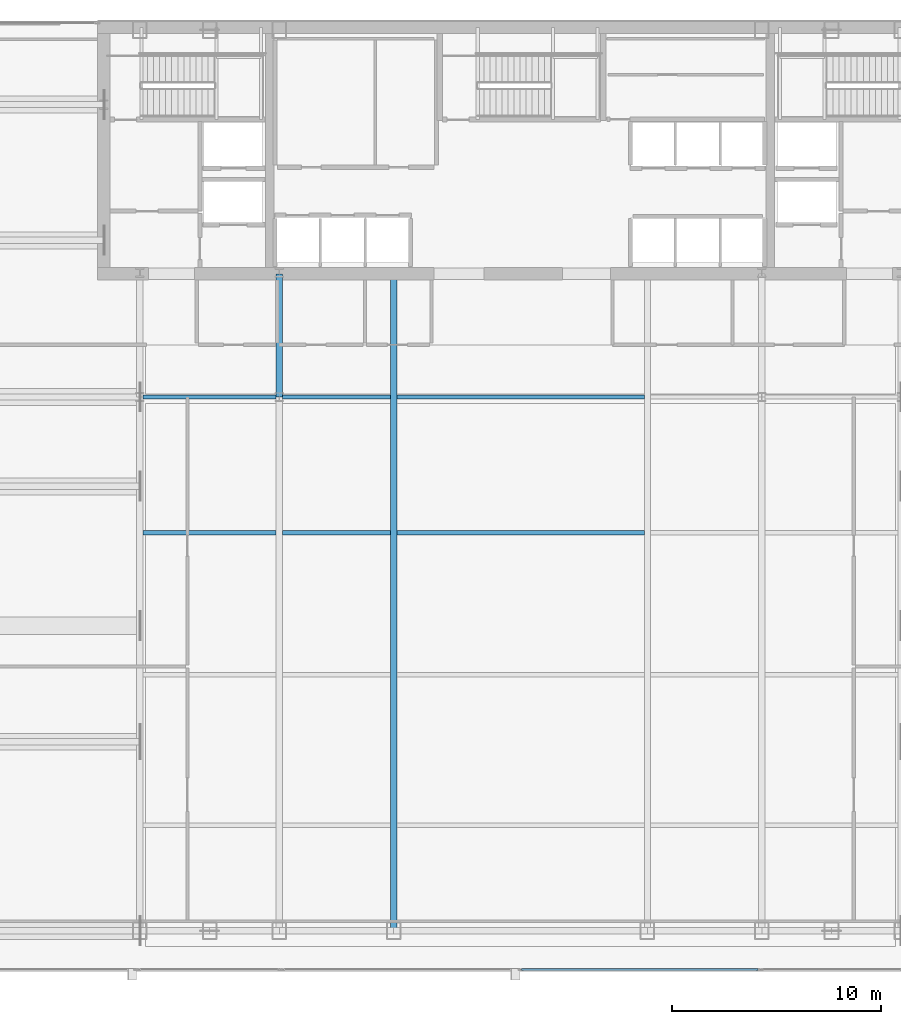
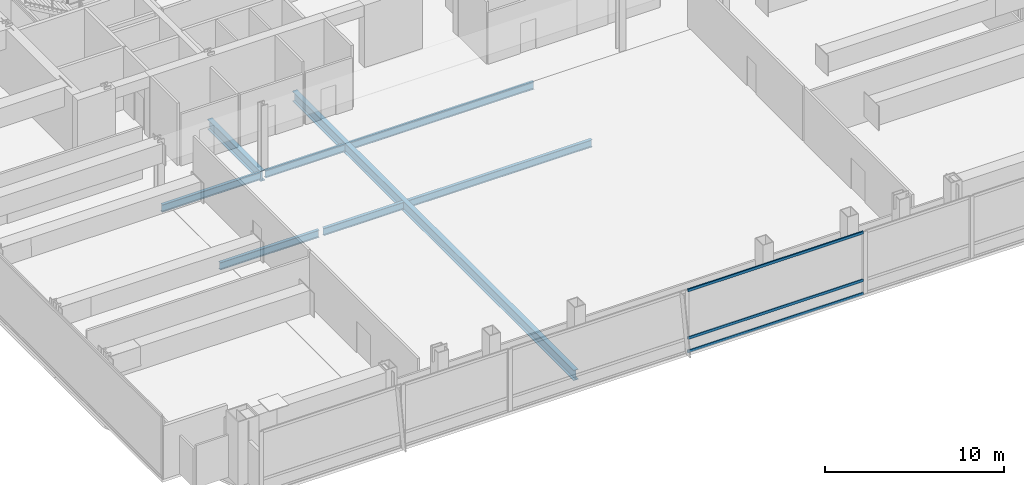
# One storey, part 10 of 25: 8 beams, 3 members, 1 element without a shape of its own.
"""IFC4 building model written with IfcOpenShell, lengths in metres."""

from ifc_helpers import new_model, si_unit, direction, frame, origin, origin_2d, place, context, subcontext, project, spatial, hollow_rectangle, i_section, extrude, material, material_profile, profile_set, type_object, element, aggregate, save


model = new_model("IFC4")

# Units and contexts
model_context = context("Model", 3, precision=1e-05, world=origin(), true_north=direction((0.0, 1.0)))
body_context = subcontext(model_context, "Body", "Model", "MODEL_VIEW")
ifc_project = project(units=[si_unit("LENGTHUNIT", "METRE"), si_unit("AREAUNIT", "SQUARE_METRE"), si_unit("VOLUMEUNIT", "CUBIC_METRE"), si_unit("PLANEANGLEUNIT", "RADIAN"), si_unit("MASSUNIT", "GRAM", prefix="KILO")], contexts=[model_context])

# Site, building, storey
site_placement = place(None, origin())
site = spatial("IfcSite", under=ifc_project, at=site_placement, CompositionType="ELEMENT")
building_placement = place(site_placement, origin())
building = spatial("IfcBuilding", under=site, at=building_placement, Name="Khoronbel Lancet Exchange", CompositionType="ELEMENT")
storey_placement = place(building_placement, frame((0.0, 0.0, 184.199951171875)))
storey = spatial("IfcBuildingStorey", under=building, at=storey_placement, Name="L46", CompositionType="ELEMENT", Elevation=184.199951171875)

# Beams
ifc_material_1 = material(Name="Steel S355", Category="steel")
ifc_material_profile_1 = material_profile(ifc_material_1, i_section(OverallWidth=0.300048828125, OverallDepth=0.699951171875, WebThickness=0.01708984375, FlangeThickness=0.031982421875, at=origin_2d()), Name="HEB 700")
ifc_profile_set_1 = profile_set([ifc_material_profile_1], Name="Steel S355")
beam_type_1 = type_object("IfcBeamType", Name="BM-BG3", PredefinedType="BEAM", material=ifc_profile_set_1)
beam_1_placement = place(storey_placement, frame((24.89990234375, 35.699951171875, -0.550048828125), z_axis=(0.0, 1.0, 0.0), x_axis=(-1.0, 0.0, 0.0)))
element("IfcBeam", 1, at=beam_1_placement, inside=storey, type_object=beam_type_1, Name="Level L46 spine tie girder GN2", PredefinedType="BEAM", context=body_context, shape_type="SweptSolid", body=[
    extrude(i_section(OverallWidth=0.300048828125, OverallDepth=0.699951171875, WebThickness=0.01708984375, FlangeThickness=0.031982421875, at=origin_2d()), origin(), (0.0, 0.0, 1.0), 5.900146484375),
])
beam_2_placement = place(storey_placement, frame((30.375, 10.14990234375, -0.550048828125), z_axis=(0.0, 1.0, 0.0), x_axis=(-1.0, 0.0, 0.0)))
element("IfcBeam", 2, at=beam_2_placement, inside=storey, type_object=beam_type_1, Name="Level L46 primary floor girder G3", PredefinedType="BEAM", context=body_context, shape_type="SweptSolid", body=[
    extrude(i_section(OverallWidth=0.300048828125, OverallDepth=0.699951171875, WebThickness=0.01708984375, FlangeThickness=0.031982421875, at=origin_2d()), origin(), (0.0, 0.0, 1.0), 31.4501953125),
])
ifc_material_profile_2 = material_profile(ifc_material_1, i_section(OverallWidth=0.199951171875, OverallDepth=0.5, WebThickness=0.01025390625, FlangeThickness=0.01611328125, at=origin_2d()), Name="IPE 500")
ifc_profile_set_2 = profile_set([ifc_material_profile_2], Name="Steel S355")
beam_type_2 = type_object("IfcBeamType", Name="BM-BJ3", PredefinedType="JOIST", material=ifc_profile_set_2)
beam_3_placement = place(storey_placement, frame((18.375, 29.199951171875, -0.449951171875), z_axis=(1.0, 0.0, 0.0), x_axis=(0.0, 1.0, 0.0)))
element("IfcBeam", 3, at=beam_3_placement, inside=storey, type_object=beam_type_2, Name="Level L46 secondary composite joist J11", PredefinedType="JOIST", context=body_context, shape_type="SweptSolid", body=[
    extrude(i_section(OverallWidth=0.199951171875, OverallDepth=0.5, WebThickness=0.01025390625, FlangeThickness=0.01611328125, at=origin_2d()), origin(), (0.0, 0.0, 1.0), 6.375),
])
beam_4_placement = place(storey_placement, frame((25.050048828125, 29.199951171875, -0.449951171875), z_axis=(1.0, 0.0, 0.0), x_axis=(0.0, 1.0, 0.0)))
element("IfcBeam", 4, at=beam_4_placement, inside=storey, type_object=beam_type_2, Name="Level L46 secondary composite joist J12", PredefinedType="JOIST", context=body_context, shape_type="SweptSolid", body=[
    extrude(i_section(OverallWidth=0.199951171875, OverallDepth=0.5, WebThickness=0.01025390625, FlangeThickness=0.01611328125, at=origin_2d()), origin(), (0.0, 0.0, 1.0), 5.175048828125),
])
beam_5_placement = place(storey_placement, frame((30.52490234375, 29.199951171875, -0.449951171875), z_axis=(1.0, 0.0, 0.0), x_axis=(0.0, 1.0, 0.0)))
element("IfcBeam", 5, at=beam_5_placement, inside=storey, type_object=beam_type_2, Name="Level L46 secondary composite joist J13", PredefinedType="JOIST", context=body_context, shape_type="SweptSolid", body=[
    extrude(i_section(OverallWidth=0.199951171875, OverallDepth=0.5, WebThickness=0.01025390625, FlangeThickness=0.01611328125, at=origin_2d()), origin(), (0.0, 0.0, 1.0), 11.85009765625),
])
beam_6_placement = place(storey_placement, frame((18.375, 35.699951171875, -0.449951171875), z_axis=(1.0, 0.0, 0.0), x_axis=(0.0, 1.0, 0.0)))
element("IfcBeam", 6, at=beam_6_placement, inside=storey, type_object=beam_type_2, Name="Level L46 secondary composite joist J16", PredefinedType="JOIST", context=body_context, shape_type="SweptSolid", body=[
    extrude(i_section(OverallWidth=0.199951171875, OverallDepth=0.5, WebThickness=0.01025390625, FlangeThickness=0.01611328125, at=origin_2d()), origin(), (0.0, 0.0, 1.0), 6.375),
])
beam_7_placement = place(storey_placement, frame((25.050048828125, 35.699951171875, -0.449951171875), z_axis=(1.0, 0.0, 0.0), x_axis=(0.0, 1.0, 0.0)))
element("IfcBeam", 7, at=beam_7_placement, inside=storey, type_object=beam_type_2, Name="Level L46 secondary composite joist J17", PredefinedType="JOIST", context=body_context, shape_type="SweptSolid", body=[
    extrude(i_section(OverallWidth=0.199951171875, OverallDepth=0.5, WebThickness=0.01025390625, FlangeThickness=0.01611328125, at=origin_2d()), origin(), (0.0, 0.0, 1.0), 5.175048828125),
])
beam_8_placement = place(storey_placement, frame((30.52490234375, 35.699951171875, -0.449951171875), z_axis=(1.0, 0.0, 0.0), x_axis=(0.0, 1.0, 0.0)))
element("IfcBeam", 8, at=beam_8_placement, inside=storey, type_object=beam_type_2, Name="Level L46 secondary composite joist J18", PredefinedType="JOIST", context=body_context, shape_type="SweptSolid", body=[
    extrude(i_section(OverallWidth=0.199951171875, OverallDepth=0.5, WebThickness=0.01025390625, FlangeThickness=0.01611328125, at=origin_2d()), origin(), (0.0, 0.0, 1.0), 11.85009765625),
])

# Curtain wall, members
ifc_material_2 = material(Name="Low-E Solar Control Insulating Glass", Category="glass")
curtain_wall_type = type_object("IfcCurtainWallType", Name="CW-3", PredefinedType="NOTDEFINED", material=ifc_material_2)
curtain_wall_placement = place(storey_placement, origin())
curtain_wall = element("IfcCurtainWall", 9, at=curtain_wall_placement, inside=storey, type_object=curtain_wall_type, Name="Unitised curtain wall CW-L46-SCV", PredefinedType="NOTDEFINED")
ifc_material_3 = material(Name="Bronze-Anodised Aluminium 6063-T6", Category="aluminium")
ifc_material_profile_3 = material_profile(ifc_material_3, hollow_rectangle(XDim=0.0849609375, YDim=0.179931640625, WallThickness=0.0048828125, at=origin_2d()), Name="ALU TRANSOM 85x180")
ifc_profile_set_3 = profile_set([ifc_material_profile_3], Name="Bronze-Anodised Aluminium 6063-T6")
member_type = type_object("IfcMemberType", Name="MEM-CWT1", PredefinedType="USERDEFINED", material=ifc_profile_set_3)
member_1_placement = place(storey_placement, frame((36.492431640625, 8.2900390625, 0.04248046875), z_axis=(1.0, 0.0, 0.0), x_axis=(0.0, 1.0, 0.0)))
member_1 = element("IfcMember", 10, at=member_1_placement, type_object=member_type, Name="CW3 transom 2.1", ObjectType="TRANSOM", PredefinedType="USERDEFINED", context=body_context, shape_type="SweptSolid", body=[
    extrude(hollow_rectangle(XDim=0.0849609375, YDim=0.179931640625, WallThickness=0.0048828125, at=origin_2d()), origin(), (0.0, 0.0, 1.0), 11.322509765625),
])
member_2_placement = place(storey_placement, frame((36.492431640625, 8.2900390625, 0.949951171875), z_axis=(1.0, 0.0, 0.0), x_axis=(0.0, 1.0, 0.0)))
member_2 = element("IfcMember", 11, at=member_2_placement, type_object=member_type, Name="CW3 transom 2.2", ObjectType="TRANSOM", PredefinedType="USERDEFINED", context=body_context, shape_type="SweptSolid", body=[
    extrude(hollow_rectangle(XDim=0.0849609375, YDim=0.179931640625, WallThickness=0.0048828125, at=origin_2d()), origin(), (0.0, 0.0, 1.0), 11.322509765625),
])
member_3_placement = place(storey_placement, frame((36.492431640625, 8.2900390625, 4.197509765625), z_axis=(1.0, 0.0, 0.0), x_axis=(0.0, 1.0, 0.0)))
member_3 = element("IfcMember", 12, at=member_3_placement, type_object=member_type, Name="CW3 transom 2.3", ObjectType="TRANSOM", PredefinedType="USERDEFINED", context=body_context, shape_type="SweptSolid", body=[
    extrude(hollow_rectangle(XDim=0.0849609375, YDim=0.179931640625, WallThickness=0.0048828125, at=origin_2d()), origin(), (0.0, 0.0, 1.0), 11.322509765625),
])
aggregate(curtain_wall, [member_1, member_2, member_3])

save(model, "model.ifc")
